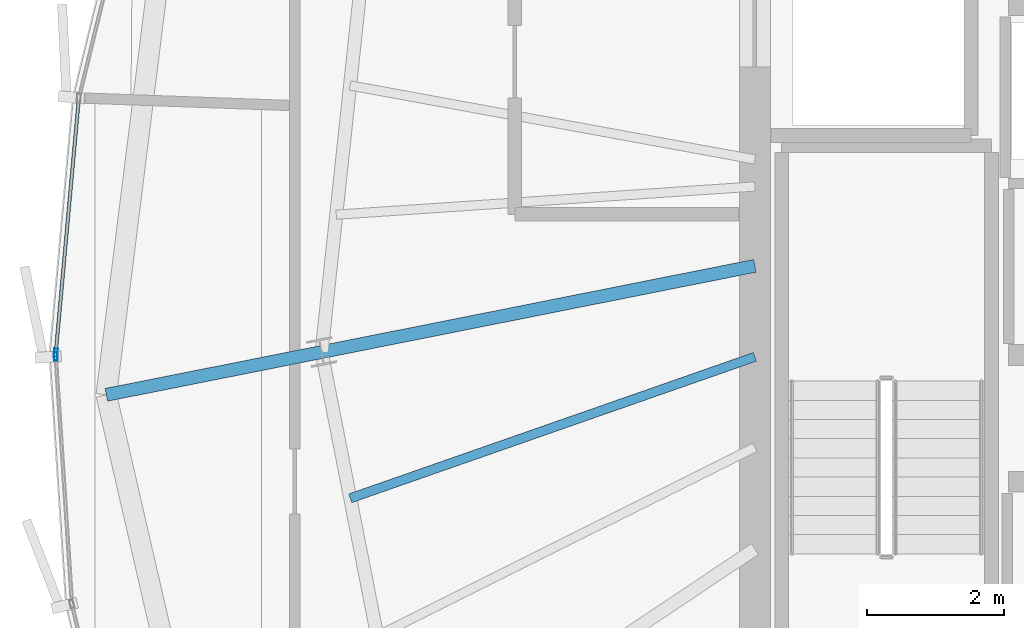
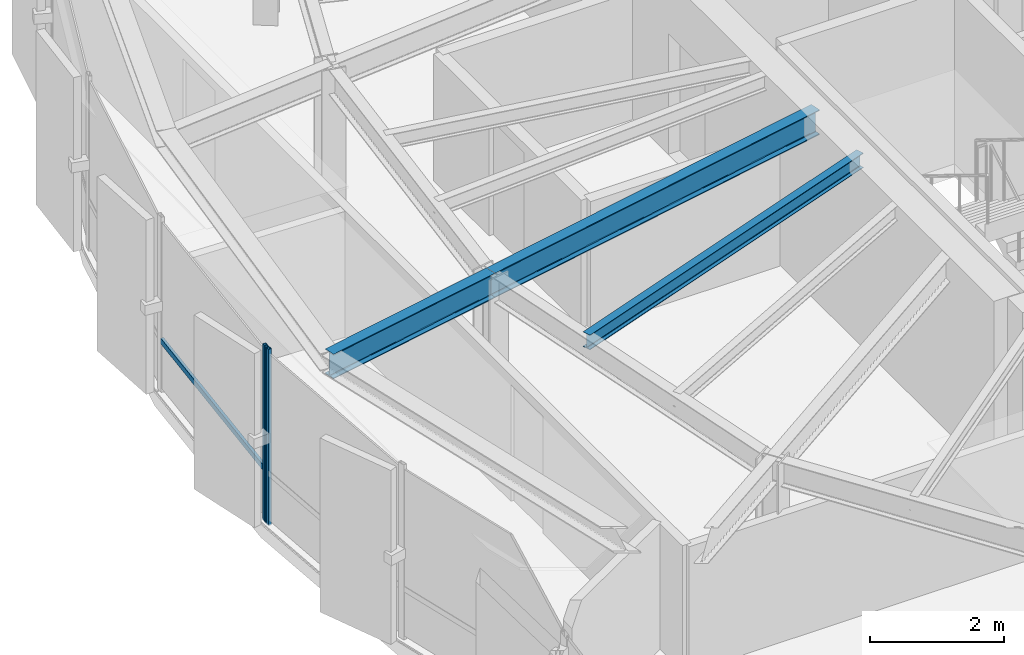
# One storey, part 10 of 31: 3 beams, 3 members, 2 elements without a shape of their own.
"""IFC4 building model written with IfcOpenShell, lengths in metres."""

from ifc_helpers import new_model, si_unit, direction, frame, origin, origin_2d, place, context, subcontext, project, spatial, hollow_rectangle, i_section, extrude, source, transform, mapped, material, layer, layer_set, material_profile, profile_set, type_object, element, aggregate, save


model = new_model("IFC4")

# Units and contexts
model_context = context("Model", 3, precision=1e-05, world=origin(), true_north=direction((0.0, 1.0)))
body_context = subcontext(model_context, "Body", "Model", "MODEL_VIEW")
ifc_project = project(units=[si_unit("LENGTHUNIT", "METRE"), si_unit("AREAUNIT", "SQUARE_METRE"), si_unit("VOLUMEUNIT", "CUBIC_METRE"), si_unit("PLANEANGLEUNIT", "RADIAN"), si_unit("MASSUNIT", "GRAM", prefix="KILO"), si_unit("THERMODYNAMICTEMPERATUREUNIT", "KELVIN")], contexts=[model_context])

# Site, building, storey
site_placement = place(None, origin())
site = spatial("IfcSite", under=ifc_project, at=site_placement, CompositionType="ELEMENT")
building_placement = place(site_placement, origin())
building = spatial("IfcBuilding", under=site, at=building_placement, Name="Kethvar Cultural Tower", CompositionType="ELEMENT")
storey_placement = place(building_placement, frame((0.0, 0.0, 290.5)))
storey = spatial("IfcBuildingStorey", under=building, at=storey_placement, Name="L77", CompositionType="ELEMENT", Elevation=290.5)

# Beams
ifc_material_1 = material(Name="Steel S355J2", Category="steel")
ifc_material_profile_1 = material_profile(ifc_material_1, i_section(OverallWidth=0.18994140625, OverallDepth=0.449951171875, WebThickness=0.009521484375, FlangeThickness=0.0146484375, FilletRadius=0.02099609375, at=origin_2d()), Name="Steel S355J2 — IPE450")
ifc_profile_set_1 = profile_set([ifc_material_profile_1], Name="Steel S355J2 — IPE450")
beam_type_1 = type_object("IfcBeamType", Name="BM-IPE450", PredefinedType="BEAM", material=ifc_profile_set_1)
shared_shape_1 = source(origin(), body_context, "Body", "SweptSolid", [
    extrude(i_section(OverallWidth=0.18994140625, OverallDepth=0.449951171875, WebThickness=0.009521484375, FlangeThickness=0.0146484375, FilletRadius=0.02099609375, at=origin_2d()), origin(), (0.0, 0.0, 1.0), 3.2001953125),
])
beam_1_placement = place(storey_placement, frame((31.68310546875, 24.79296875, 2.98291015625), z_axis=(-0.980788453702, -0.195074368086, 0.0), x_axis=(0.195074368086, -0.980788453702, 0.0)))
element("IfcBeam", 1, at=beam_1_placement, inside=storey, type_object=beam_type_1, Name="L77 Perimeter Cantilever Beam RC-09", PredefinedType="BEAM", context=body_context, shape_type="MappedRepresentation", body=[
    mapped(shared_shape_1, transform((0.0, 0.0, 0.0), scale=1.0)),
])
shared_shape_2 = source(origin(), body_context, "Body", "SweptSolid", [
    extrude(i_section(OverallWidth=0.18994140625, OverallDepth=0.449951171875, WebThickness=0.009521484375, FlangeThickness=0.0146484375, FilletRadius=0.02099609375, at=origin_2d()), origin(), (0.0, 0.0, 1.0), 6.440673828125),
])
beam_2_placement = place(storey_placement, frame((38.0, 26.049560546875, 2.98291015625), z_axis=(-0.980782804096, -0.195102770839, 0.0), x_axis=(0.195102770839, -0.980782804096, 0.0)))
element("IfcBeam", 2, at=beam_2_placement, inside=storey, type_object=beam_type_1, Name="L77 Primary Radial Beam RB-09", PredefinedType="BEAM", context=body_context, shape_type="MappedRepresentation", body=[
    mapped(shared_shape_2, transform((0.0, 0.0, 0.0), scale=1.0)),
])
ifc_material_profile_2 = material_profile(ifc_material_1, i_section(OverallWidth=0.135009765625, OverallDepth=0.27001953125, WebThickness=0.006591796875, FlangeThickness=0.01025390625, FilletRadius=0.014892578125, at=origin_2d()), Name="Steel S355J2 — IPE270")
ifc_profile_set_2 = profile_set([ifc_material_profile_2], Name="Steel S355J2 — IPE270")
beam_type_2 = type_object("IfcBeamType", Name="BM-J270", PredefinedType="JOIST", material=ifc_profile_set_2)
shared_shape_3 = source(origin(), body_context, "Body", "SweptSolid", [
    extrude(i_section(OverallWidth=0.135009765625, OverallDepth=0.27001953125, WebThickness=0.006591796875, FlangeThickness=0.01025390625, FilletRadius=0.014892578125, at=origin_2d()), origin(), (0.0, 0.0, 1.0), 6.248779296875),
])
beam_3_placement = place(storey_placement, frame((38.0, 24.722900390625, 3.072998046875), z_axis=(-0.943960031743, -0.330059780148, 0.0), x_axis=(0.330059780148, -0.943960031743, 0.0)))
element("IfcBeam", 3, at=beam_3_placement, inside=storey, type_object=beam_type_2, Name="L77 Composite Floor Joist J-09A", PredefinedType="JOIST", context=body_context, shape_type="MappedRepresentation", body=[
    mapped(shared_shape_3, transform((0.0, 0.0, 0.0), scale=1.0)),
])

# Curtain wall, member
ifc_material_2 = material(Name="Aluminium 6063-T6", Category="aluminium")
ifc_layer = layer(ifc_material_2, 0.179931640625, Name="Aluminium 6063-T6", Category="aluminium")
ifc_layer_set = layer_set([ifc_layer], Name="Aluminium 6063-T6 (180 mm)")
curtain_wall_type = type_object("IfcCurtainWallType", Name="CW-SYS-05-Z56", PredefinedType="NOTDEFINED", material=ifc_layer_set)
curtain_wall_1_placement = place(storey_placement, origin())
curtain_wall_1 = element("IfcCurtainWall", 4, at=curtain_wall_1_placement, inside=storey, type_object=curtain_wall_type, Name="L77 Curtain Wall Run 02", PredefinedType="NOTDEFINED")
ifc_material_profile_3 = material_profile(ifc_material_2, hollow_rectangle(XDim=0.054931640625, YDim=0.1201171875, WallThickness=0.00390625, at=origin_2d()), Name="Aluminium 6063-T6 — RHS120x55x4")
ifc_profile_set_3 = profile_set([ifc_material_profile_3], Name="Aluminium 6063-T6 — RHS120x55x4")
member_type_1 = type_object("IfcMemberType", Name="CW-SYS-05-Z56-MUL", PredefinedType="MULLION", material=ifc_profile_set_3)
shared_shape_4 = source(origin(), body_context, "Body", "SweptSolid", [
    extrude(hollow_rectangle(XDim=0.054931640625, YDim=0.1201171875, WallThickness=0.00390625, at=origin_2d()), origin(), (0.0, 0.0, 1.0), 3.2099609375),
])
member_1_placement = place(storey_placement, frame((27.80810546875, 24.783203125, 0.0), z_axis=(0.0, 0.0, 1.0), x_axis=(0.995915974681, -0.090284945449, 0.0)))
member_1 = element("IfcMember", 5, at=member_1_placement, type_object=member_type_1, Name="CW-L77-R02 Mullion 7", PredefinedType="MULLION", context=body_context, shape_type="MappedRepresentation", body=[
    mapped(shared_shape_4, transform((0.0, 0.0, 0.0), scale=1.0)),
])

curtain_wall_2_placement = place(storey_placement, origin())
curtain_wall_2 = element("IfcCurtainWall", 6, at=curtain_wall_2_placement, inside=storey, type_object=curtain_wall_type, Name="L77 Curtain Wall Run 03", PredefinedType="NOTDEFINED")
member_2_placement = place(storey_placement, frame((27.807373046875, 24.727294921875, 0.0), z_axis=(0.0, 0.0, 1.0), x_axis=(0.997850925292, 0.065525040207, 0.0)))
member_2 = element("IfcMember", 7, at=member_2_placement, type_object=member_type_1, Name="CW-L77-R03 Mullion 1", PredefinedType="MULLION", context=body_context, shape_type="MappedRepresentation", body=[
    mapped(shared_shape_4, transform((0.0, 0.0, 0.0), scale=1.0)),
])
aggregate(curtain_wall_2, [member_2])

# Member
ifc_material_profile_4 = material_profile(ifc_material_2, hollow_rectangle(XDim=0.050048828125, YDim=0.10009765625, WallThickness=0.00390625, at=origin_2d()), Name="Aluminium 6063-T6 — RHS100x50x4")
ifc_profile_set_4 = profile_set([ifc_material_profile_4], Name="Aluminium 6063-T6 — RHS100x50x4")
member_type_2 = type_object("IfcMemberType", Name="CW-SYS-05-Z56-TRN", PredefinedType="USERDEFINED", material=ifc_profile_set_4)
shared_shape_5 = source(origin(), body_context, "Body", "SweptSolid", [
    extrude(hollow_rectangle(XDim=0.050048828125, YDim=0.10009765625, WallThickness=0.00390625, at=origin_2d()), origin(), (0.0, 0.0, 1.0), 3.68701171875),
])
member_3_placement = place(storey_placement, frame((28.14111328125, 28.458740234375, 0.949951171875), z_axis=(-0.090255130116, -0.995918677146, 0.0), x_axis=(0.995918677146, -0.090255130116, 0.0)))
member_3 = element("IfcMember", 8, at=member_3_placement, type_object=member_type_2, Name="CW-L77-R02 Transom 6", ObjectType="TRANSOM", PredefinedType="USERDEFINED", context=body_context, shape_type="MappedRepresentation", body=[
    mapped(shared_shape_5, transform((0.0, 0.0, 0.0), scale=1.0)),
])

aggregate(curtain_wall_1, [member_1, member_3])

save(model, "model.ifc")
